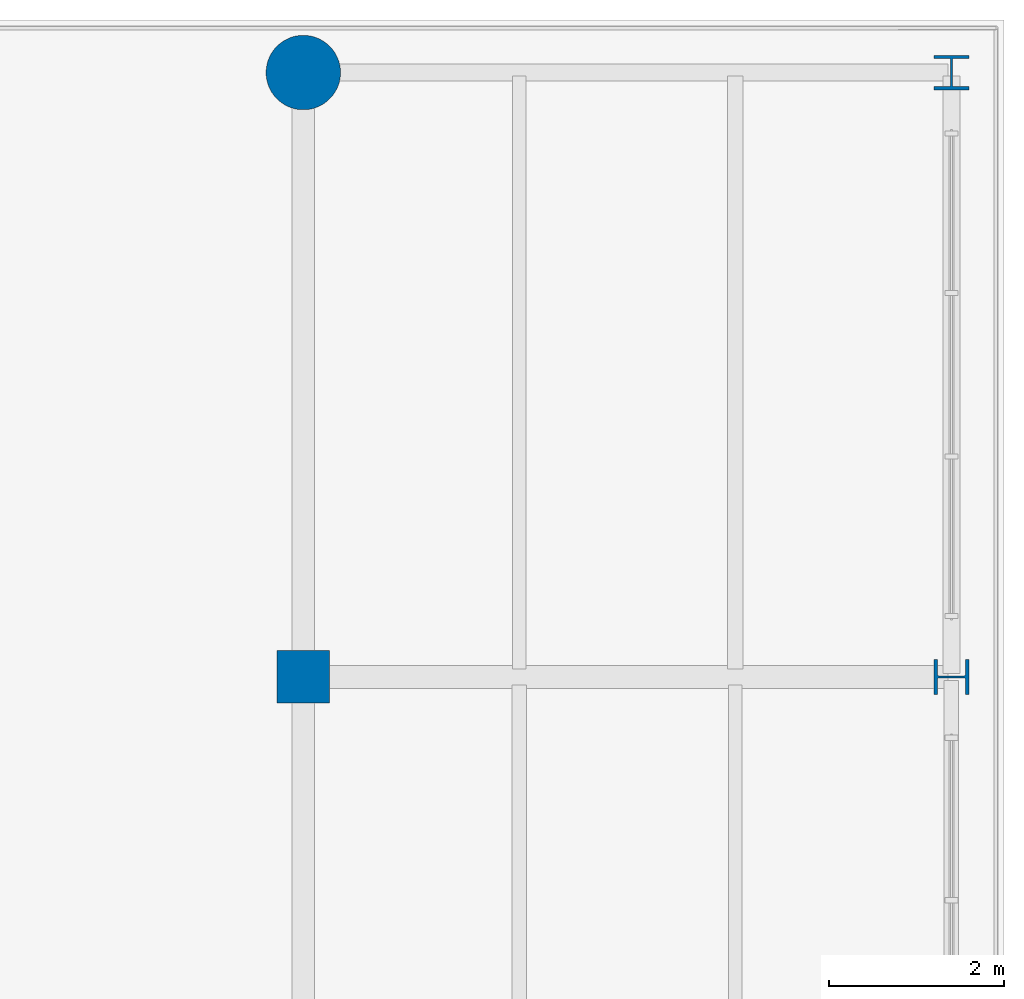
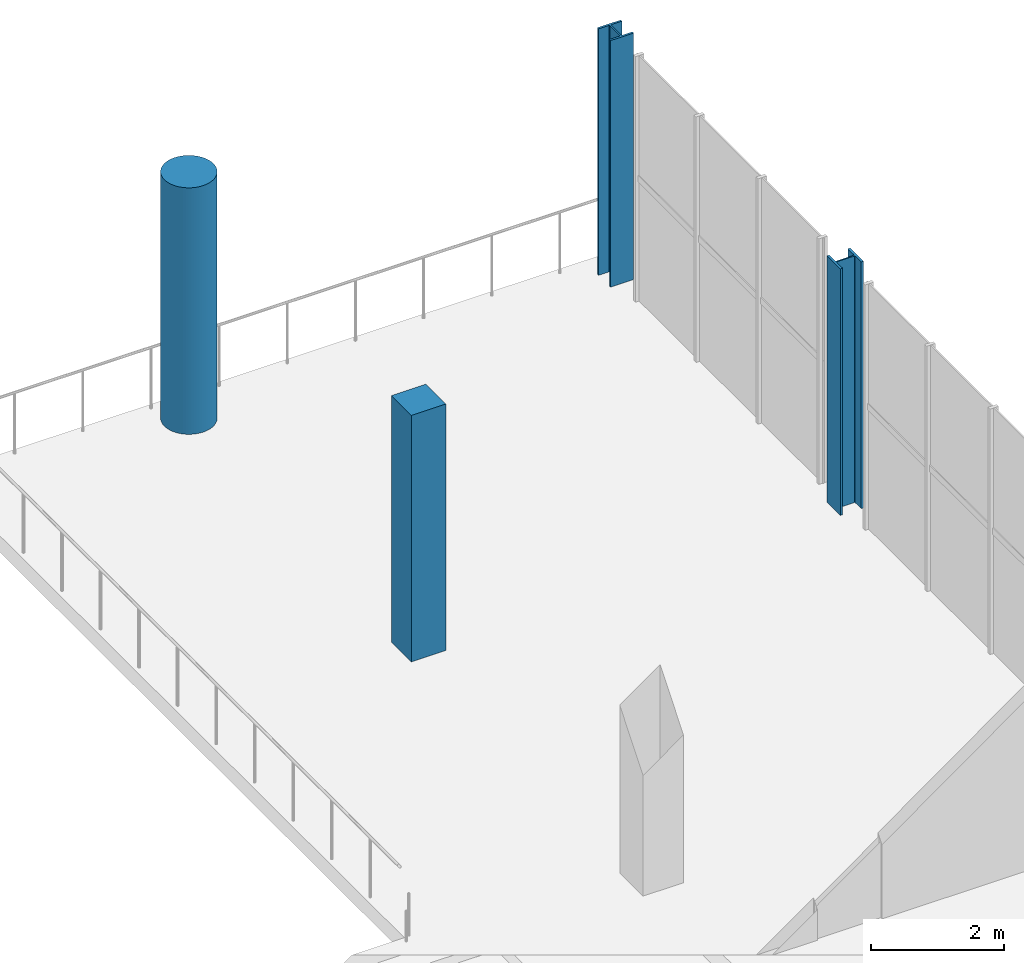
# One storey, part 29 of 93: 4 columns.
"""IFC4 building model written with IfcOpenShell, lengths in metres."""

from ifc_helpers import new_model, si_unit, direction, frame, origin, origin_2d, place, context, subcontext, project, spatial, rectangle, circle, i_section, extrude, material, material_profile, profile_set, type_object, element, save


model = new_model("IFC4")

# Units and contexts
model_context = context("Model", 3, precision=1e-05, world=origin(), true_north=direction((0.0, 1.0)))
body_context = subcontext(model_context, "Body", "Model", "MODEL_VIEW")
ifc_project = project(units=[si_unit("LENGTHUNIT", "METRE"), si_unit("AREAUNIT", "SQUARE_METRE"), si_unit("VOLUMEUNIT", "CUBIC_METRE"), si_unit("PLANEANGLEUNIT", "RADIAN"), si_unit("MASSUNIT", "GRAM", prefix="KILO")], contexts=[model_context])

# Site, building, storey
site_placement = place(None, origin())
site = spatial("IfcSite", under=ifc_project, at=site_placement, CompositionType="ELEMENT")
building_placement = place(site_placement, origin())
building = spatial("IfcBuilding", under=site, at=building_placement, Name="Brisemont Oceanarium", CompositionType="ELEMENT")
storey_placement = place(building_placement, frame((0.0, 0.0, 5.39990234375)))
storey = spatial("IfcBuildingStorey", under=building, at=storey_placement, Name="L01", CompositionType="ELEMENT", Elevation=5.39990234375)

# Columns
ifc_material_1 = material(Name="Concrete C35/45", Category="concrete")
ifc_material_profile_1 = material_profile(ifc_material_1, rectangle(XDim=0.60009765625, YDim=0.60009765625, at=origin_2d()), Name="RC-COL-600X600")
ifc_profile_set_1 = profile_set([ifc_material_profile_1], Name="Concrete C35/45")
column_type_1 = type_object("IfcColumnType", Name="COL-RC600", PredefinedType="COLUMN", material=ifc_profile_set_1)
column_1_placement = place(storey_placement, frame((152.0, 100.5, 0.0), z_axis=(0.0, 0.0, 1.0), x_axis=(1.0, 0.0, 0.0)))
element("IfcColumn", 1, at=column_1_placement, inside=storey, type_object=column_type_1, Name="V6 L01 column (5,3)", PredefinedType="COLUMN", context=body_context, shape_type="SweptSolid", body=[
    extrude(rectangle(XDim=0.60009765625, YDim=0.60009765625, at=origin_2d()), origin(), (0.0, 0.0, 1.0), 4.52001953125),
])
ifc_material_2 = material(Name="Concrete C40/50", Category="concrete")
ifc_material_profile_2 = material_profile(ifc_material_2, circle(Radius=0.425048828125, at=origin_2d()), Name="RC-COL-D850")
ifc_profile_set_2 = profile_set([ifc_material_profile_2], Name="Concrete C40/50")
column_type_2 = type_object("IfcColumnType", Name="COL-RCD850", PredefinedType="COLUMN", material=ifc_profile_set_2)
column_2_placement = place(storey_placement, frame((152.0, 107.39990234375, 0.0), z_axis=(0.0, 0.0, 1.0), x_axis=(0.0, 1.0, 0.0)))
element("IfcColumn", 2, at=column_2_placement, inside=storey, type_object=column_type_2, Name="V6 L01 column (5,4)", PredefinedType="COLUMN", context=body_context, shape_type="SweptSolid", body=[
    extrude(circle(Radius=0.425048828125, at=origin_2d()), origin(), (0.0, 0.0, 1.0), 4.52001953125),
])
ifc_material_3 = material(Name="Structural Steel ASTM A992 Gr.50", Category="steel")
ifc_material_profile_3 = material_profile(ifc_material_3, i_section(OverallWidth=0.39990234375, OverallDepth=0.39306640625, WebThickness=0.022705078125, FlangeThickness=0.03662109375, FilletRadius=0.014892578125, at=origin_2d()), Name="W14X193")
ifc_profile_set_3 = profile_set([ifc_material_profile_3], Name="Structural Steel ASTM A992 Gr.50")
column_type_3 = type_object("IfcColumnType", Name="COL-W14X193", PredefinedType="COLUMN", material=ifc_profile_set_3)
column_3_placement = place(storey_placement, frame((159.39990234375, 107.39990234375, 0.0), z_axis=(0.0, 0.0, 1.0), x_axis=(1.0, 0.0, 0.0)))
element("IfcColumn", 3, at=column_3_placement, inside=storey, type_object=column_type_3, Name="V6 L01 column (6,4)", PredefinedType="COLUMN", context=body_context, shape_type="SweptSolid", body=[
    extrude(i_section(OverallWidth=0.39990234375, OverallDepth=0.39306640625, WebThickness=0.022705078125, FlangeThickness=0.03662109375, FilletRadius=0.014892578125, at=origin_2d()), origin(), (0.0, 0.0, 1.0), 4.52001953125),
])
ifc_material_4 = material(Name="Structural Steel ASTM A992 Gr.50", Category="steel")
ifc_material_profile_4 = material_profile(ifc_material_4, i_section(OverallWidth=0.40087890625, OverallDepth=0.39892578125, WebThickness=0.02490234375, FlangeThickness=0.03955078125, FilletRadius=0.014892578125, at=origin_2d()), Name="W14X211")
ifc_profile_set_4 = profile_set([ifc_material_profile_4], Name="Structural Steel ASTM A992 Gr.50")
column_type_4 = type_object("IfcColumnType", Name="COL-W14X211", PredefinedType="COLUMN", material=ifc_profile_set_4)
column_4_placement = place(storey_placement, frame((159.39990234375, 100.5, 0.0), z_axis=(0.0, 0.0, 1.0), x_axis=(0.0, 1.0, 0.0)))
element("IfcColumn", 4, at=column_4_placement, inside=storey, type_object=column_type_4, Name="V6 L01 column (6,3)", PredefinedType="COLUMN", context=body_context, shape_type="SweptSolid", body=[
    extrude(i_section(OverallWidth=0.40087890625, OverallDepth=0.39892578125, WebThickness=0.02490234375, FlangeThickness=0.03955078125, FilletRadius=0.014892578125, at=origin_2d()), origin(), (0.0, 0.0, 1.0), 4.52001953125),
])

save(model, "model.ifc")
